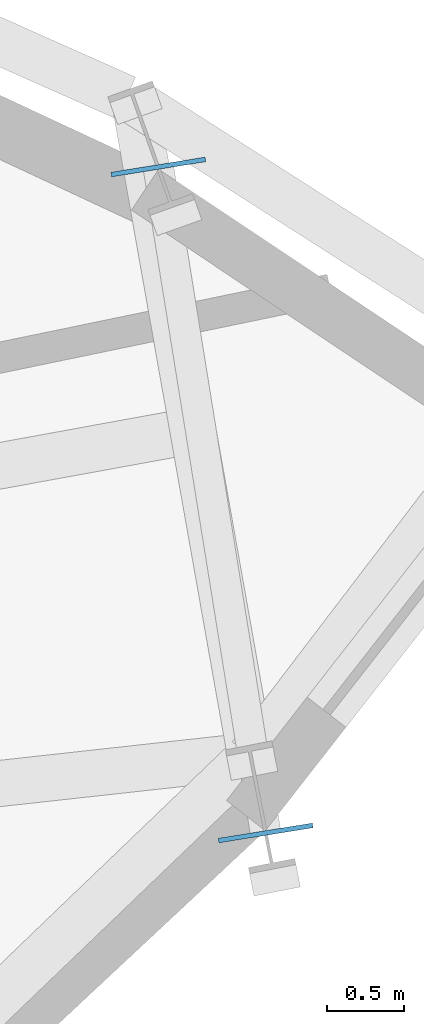
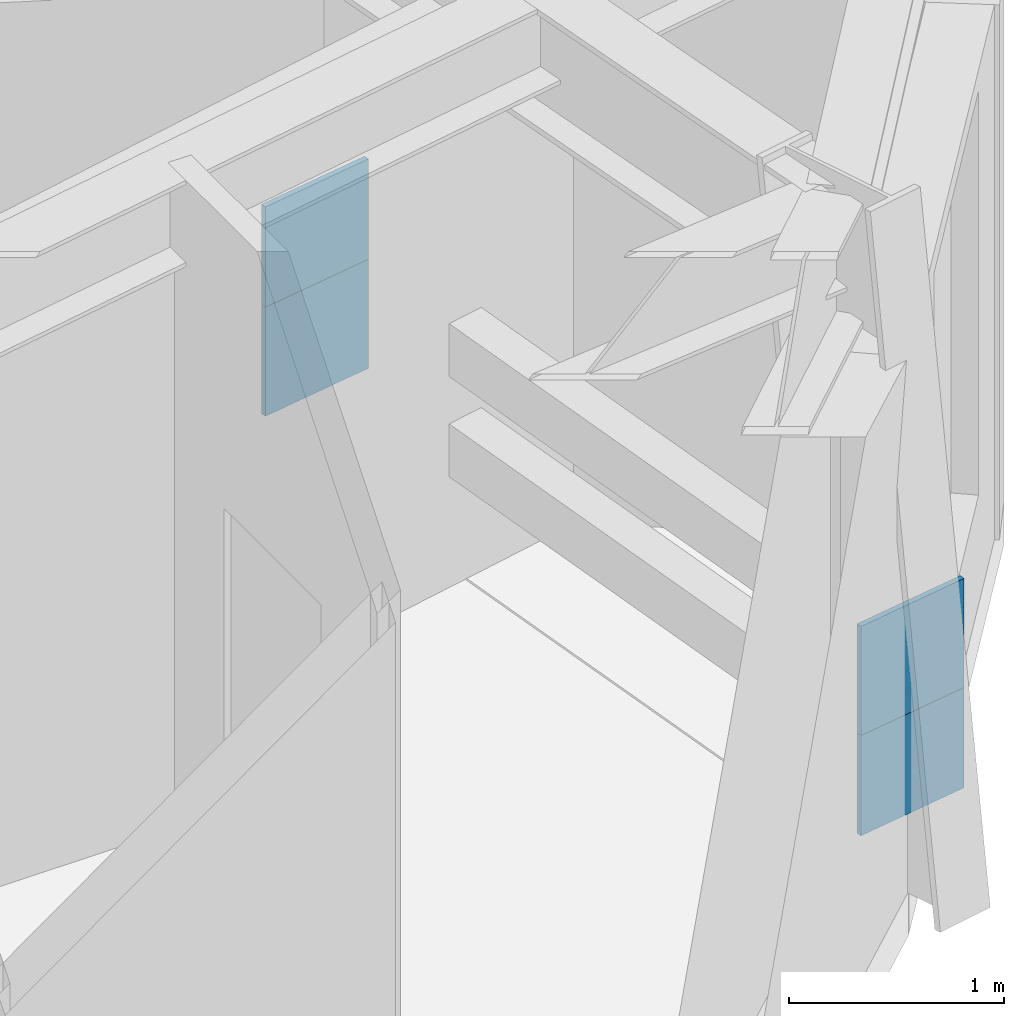
# One storey, part 11 of 19: 4 plates.
"""IFC4 building model written with IfcOpenShell, lengths in metres."""

from ifc_helpers import new_model, si_unit, direction, frame, origin, origin_2d, place, context, subcontext, project, spatial, rectangle, extrude, source, transform, mapped, material, type_object, element, save


model = new_model("IFC4")

# Units and contexts
model_context = context("Model", 3, precision=1e-05, world=origin(), true_north=direction((0.0, 1.0)))
body_context = subcontext(model_context, "Body", "Model", "MODEL_VIEW")
ifc_project = project(units=[si_unit("LENGTHUNIT", "METRE"), si_unit("AREAUNIT", "SQUARE_METRE"), si_unit("VOLUMEUNIT", "CUBIC_METRE"), si_unit("PLANEANGLEUNIT", "RADIAN"), si_unit("MASSUNIT", "GRAM", prefix="KILO")], contexts=[model_context])

# Site, building, storey
site_placement = place(None, origin())
site = spatial("IfcSite", under=ifc_project, at=site_placement, CompositionType="ELEMENT")
building_placement = place(site_placement, origin())
building = spatial("IfcBuilding", under=site, at=building_placement, Name="Olszyna Solenne Hotel", CompositionType="ELEMENT")
storey_placement = place(building_placement, frame((0.0, 0.0, 71.89990234375)))
storey = spatial("IfcBuildingStorey", under=building, at=storey_placement, Name="L18", CompositionType="ELEMENT", Elevation=71.89990234375)

# Plates
ifc_material = material(Name="Steel S460M", Category="steel")
plate_type = type_object("IfcPlateType", Name="GP-CAP2", PredefinedType="USERDEFINED", material=ifc_material)
shared_shape = source(origin(), body_context, "Body", "SweptSolid", [
    extrude(rectangle(XDim=0.030029296875, YDim=0.6201171875, at=origin_2d()), origin(), (0.0, 0.0, 1.0), 0.6201171875),
])
for number, where, z_axis, x_axis, name in (
    (1, (68.39306640625, 29.440185546875, 1.0400390625), (0.0, 0.0, 1.0), (-0.159019688023, 0.987275411839, 0.0), "Hollow section end-cap plate GP-CAP2 CP-PR-M-L18-PR1-1"),
    (2, (67.6943359375, 33.777587890625, 1.0400390625), (0.0, 0.0, 1.0), (-0.159019688023, 0.987275411839, 0.0), "Hollow section end-cap plate GP-CAP2 CP-PR-M-L18-PR1-2"),
    (3, (68.39306640625, 29.440185546875, 0.469970703125), (0.0, 0.0, 1.0), (-0.159019688023, 0.987275411839, 0.0), "Hollow section end-cap plate GP-CAP2 CP-PR-M-L18-PR2-1"),
    (4, (67.6943359375, 33.777587890625, 0.469970703125), (0.0, 0.0, 1.0), (-0.159019688023, 0.987275411839, 0.0), "Hollow section end-cap plate GP-CAP2 CP-PR-M-L18-PR2-2"),
):
    element("IfcPlate", number, at=place(storey_placement, frame(where, z_axis=z_axis, x_axis=x_axis)), inside=storey, type_object=plate_type, Name=name, ObjectType="GUSSET_PLATE", PredefinedType="USERDEFINED", context=body_context, shape_type="MappedRepresentation", body=[
        mapped(shared_shape, transform((0.0, 0.0, 0.0), x_axis=(1.0, 0.0, 0.0), y_axis=(0.0, 1.0, 0.0), z_axis=(0.0, 0.0, 1.0), scale=1.0)),
    ])

save(model, "model.ifc")
